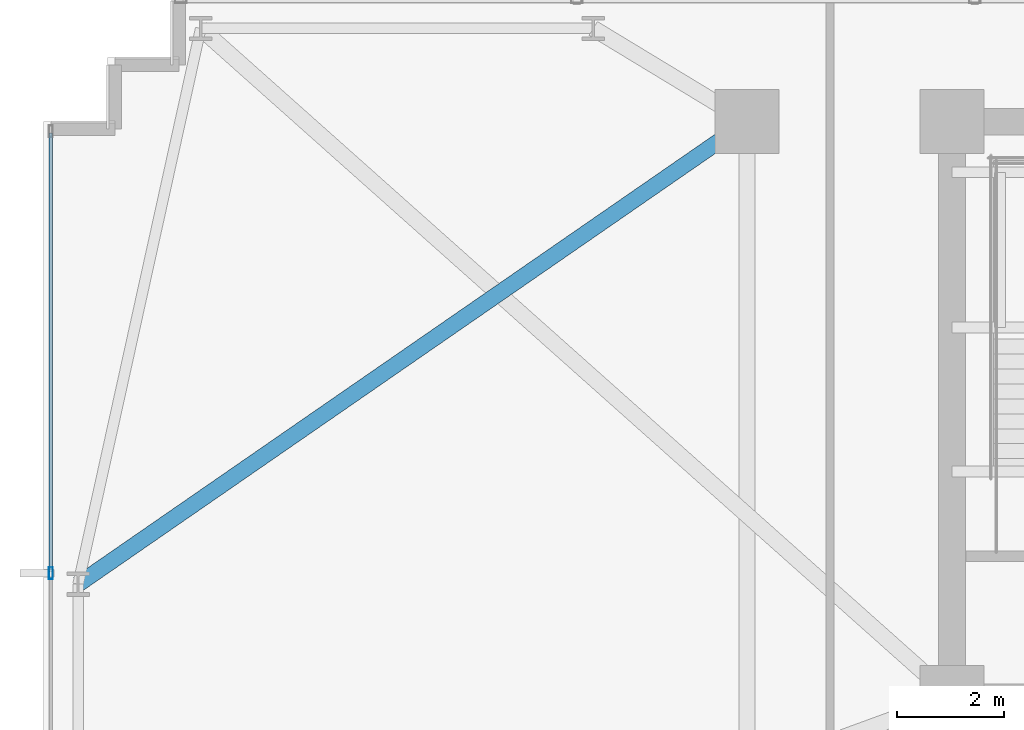
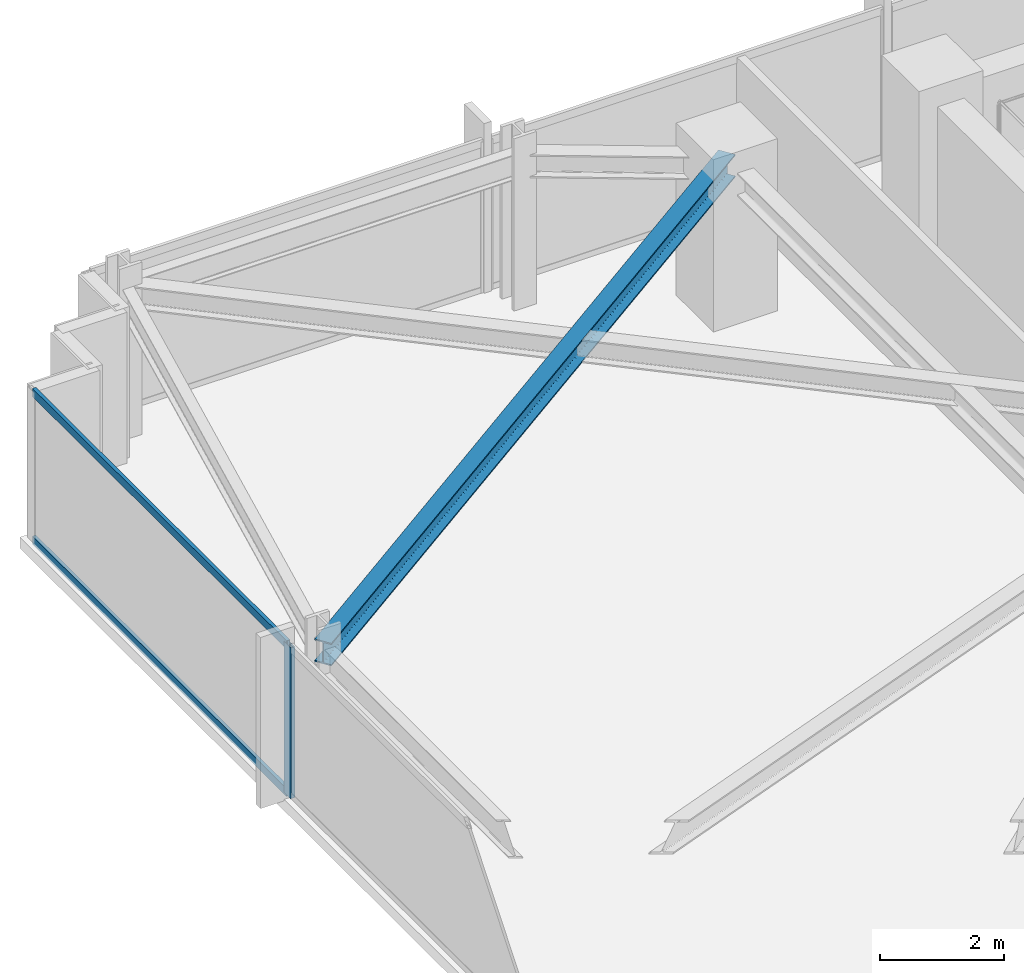
# One storey, part 9 of 32: 3 members, 1 beam, 1 element without a shape of its own.
"""IFC4 building model written with IfcOpenShell, lengths in metres."""

from ifc_helpers import new_model, si_unit, direction, frame, origin, origin_2d, place, context, subcontext, project, spatial, hollow_rectangle, i_section, extrude, material, material_profile, profile_set, type_object, element, aggregate, save


model = new_model("IFC4")

# Units and contexts
model_context = context("Model", 3, precision=1e-05, world=origin(), true_north=direction((0.0, 1.0)))
body_context = subcontext(model_context, "Body", "Model", "MODEL_VIEW")
ifc_project = project(units=[si_unit("LENGTHUNIT", "METRE"), si_unit("AREAUNIT", "SQUARE_METRE"), si_unit("VOLUMEUNIT", "CUBIC_METRE"), si_unit("PLANEANGLEUNIT", "RADIAN"), si_unit("MASSUNIT", "GRAM", prefix="KILO")], contexts=[model_context])

# Site, building, storey
site_placement = place(None, origin())
site = spatial("IfcSite", under=ifc_project, at=site_placement, CompositionType="ELEMENT")
building_placement = place(site_placement, origin())
building = spatial("IfcBuilding", under=site, at=building_placement, Name="Yelkora Congress Tower", CompositionType="ELEMENT")
storey_placement = place(building_placement, frame((0.0, 0.0, 74.60009765625)))
storey = spatial("IfcBuildingStorey", under=building, at=storey_placement, Name="L19", CompositionType="ELEMENT", Elevation=74.60009765625)

# Beam
ifc_material_1 = material(Name="Steel S355J2", Category="steel")
ifc_material_profile_1 = material_profile(ifc_material_1, i_section(OverallWidth=0.300048828125, OverallDepth=0.449951171875, WebThickness=0.013916015625, FlangeThickness=0.02587890625, FilletRadius=0.027099609375, at=origin_2d()), Name="HEB 450")
ifc_profile_set_1 = profile_set([ifc_material_profile_1], Name="Steel S355J2")
beam_type = type_object("IfcBeamType", Name="BM-GIRD-HEB450", PredefinedType="BEAM", material=ifc_profile_set_1)
beam_placement = place(storey_placement, frame((6.64990234375, 37.52490234375, 2.7548828125), z_axis=(0.822604454175, 0.568614027238, 0.0), x_axis=(-0.568614027238, 0.822604454175, 0.0)))
element("IfcBeam", 1, at=beam_placement, inside=storey, type_object=beam_type, Name="L19 Primary Frame Girder W03", PredefinedType="BEAM", context=body_context, shape_type="SweptSolid", body=[
    extrude(i_section(OverallWidth=0.300048828125, OverallDepth=0.449951171875, WebThickness=0.013916015625, FlangeThickness=0.02587890625, FilletRadius=0.027099609375, at=origin_2d()), origin(), (0.0, 0.0, 1.0), 15.256591796875),
])

# Curtain wall, members
ifc_material_2 = material(Name="Anodised aluminium and insulated glass", Category="aluminium")
curtain_wall_type = type_object("IfcCurtainWallType", Name="CW-SYS-B1", PredefinedType="NOTDEFINED", material=ifc_material_2)
curtain_wall_placement = place(storey_placement, origin())
curtain_wall = element("IfcCurtainWall", 2, at=curtain_wall_placement, inside=storey, type_object=curtain_wall_type, Name="L19 Unitised Curtain Wall 5", PredefinedType="NOTDEFINED")
ifc_material_3 = material(Name="Anodised aluminium 6063-T6", Category="aluminium")
ifc_material_profile_2 = material_profile(ifc_material_3, hollow_rectangle(XDim=0.074951171875, YDim=0.219970703125, WallThickness=0.0048828125, at=origin_2d()), Name="ALU 75x220x5")
ifc_profile_set_2 = profile_set([ifc_material_profile_2], Name="Anodised aluminium 6063-T6")
member_type_1 = type_object("IfcMemberType", Name="MEM-ML-B1", PredefinedType="MULLION", material=ifc_profile_set_2)
member_1_placement = place(storey_placement, frame((6.139892578125, 37.72998046875, 0.0), z_axis=(0.0, 0.0, 1.0), x_axis=(-1.0, 0.0, 0.0)))
member_1 = element("IfcMember", 3, at=member_1_placement, type_object=member_type_1, Name="CW-B1 mullion 4", PredefinedType="MULLION", context=body_context, shape_type="SweptSolid", body=[
    extrude(hollow_rectangle(XDim=0.074951171875, YDim=0.219970703125, WallThickness=0.0048828125, at=origin_2d()), origin(), (0.0, 0.0, 1.0), 2.97998046875),
])
ifc_material_profile_3 = material_profile(ifc_material_3, hollow_rectangle(XDim=0.06494140625, YDim=0.159912109375, WallThickness=0.00390625, at=origin_2d()), Name="ALU 65x160x4")
ifc_profile_set_3 = profile_set([ifc_material_profile_3], Name="Anodised aluminium 6063-T6")
member_type_2 = type_object("IfcMemberType", Name="MEM-TR-B1", PredefinedType="USERDEFINED", material=ifc_profile_set_3)
member_2_placement = place(storey_placement, frame((6.139892578125, 37.767578125, 0.032470703125), z_axis=(0.0, 1.0, 0.0), x_axis=(-1.0, 0.0, 0.0)))
member_2 = element("IfcMember", 4, at=member_2_placement, type_object=member_type_2, Name="CW-B1 transom 4.1", ObjectType="TRANSOM", PredefinedType="USERDEFINED", context=body_context, shape_type="SweptSolid", body=[
    extrude(hollow_rectangle(XDim=0.06494140625, YDim=0.159912109375, WallThickness=0.00390625, at=origin_2d()), origin(), (0.0, 0.0, 1.0), 8.217529296875),
])
member_3_placement = place(storey_placement, frame((6.139892578125, 37.767578125, 2.947509765625), z_axis=(0.0, 1.0, 0.0), x_axis=(-1.0, 0.0, 0.0)))
member_3 = element("IfcMember", 5, at=member_3_placement, type_object=member_type_2, Name="CW-B1 transom 4.2", ObjectType="TRANSOM", PredefinedType="USERDEFINED", context=body_context, shape_type="SweptSolid", body=[
    extrude(hollow_rectangle(XDim=0.06494140625, YDim=0.159912109375, WallThickness=0.00390625, at=origin_2d()), origin(), (0.0, 0.0, 1.0), 8.217529296875),
])
aggregate(curtain_wall, [member_1, member_2, member_3])

save(model, "model.ifc")
